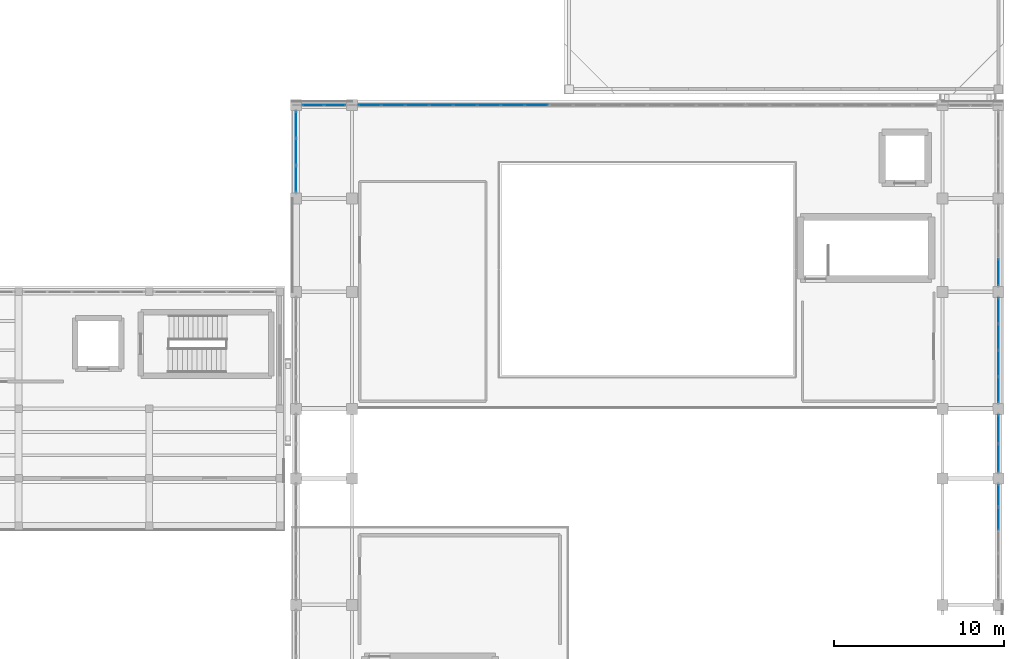
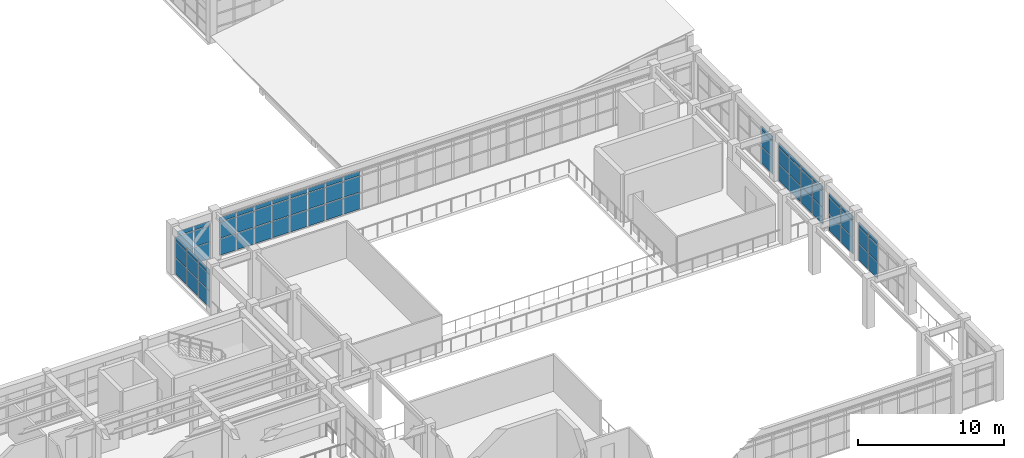
# One storey, part 44 of 66: 66 plates, 7 elements without a shape of their own.
"""IFC4 building model written with IfcOpenShell, lengths in metres."""

import ifcopenshell
import ifcopenshell.guid

model = None  # the IFC model being written
_history = None  # IfcOwnerHistory: only IFC2X3 demands one
_inside = {}  # id of a spatial element -> (the spatial element, [elements in it])
_under = {}  # id of a project, library or spatial element -> (it, [spatial elements below it])
_declared = {}  # id of a project -> (the project, [libraries it declares])
_typed = {}  # id of a type object -> (the type object, [elements of that type])
_made_of = {}  # id of a material, layer set ... -> (it, [elements and type objects made of it])


def new_model(schema):
    """Start an empty IFC model of exactly this schema.

    Asked for "IFC4X3", IfcOpenShell would pick the latest addendum, in which some entities
    have other attributes; the version numbers below select the first issue.
    IFC2X3 requires an IfcOwnerHistory on every rooted entity: one is made here for all.
    """
    global model, _history
    if schema == "IFC4X3":
        model = ifcopenshell.file(schema_version=(4, 3, 0, 0))
    else:
        model = ifcopenshell.file(schema=schema)
    _inside.clear()
    _under.clear()
    _declared.clear()
    _typed.clear()
    _made_of.clear()
    _history = None
    if model.schema == "IFC2X3":
        org = make("IfcOrganization", Name="unknown")
        user = make(
            "IfcPersonAndOrganization",
            ThePerson=make("IfcPerson", FamilyName="unknown"),
            TheOrganization=org,
        )
        app = make(
            "IfcApplication",
            ApplicationDeveloper=org,
            Version="unknown",
            ApplicationFullName="unknown",
            ApplicationIdentifier="unknown",
        )
        _history = make(
            "IfcOwnerHistory",
            OwningUser=user,
            OwningApplication=app,
            ChangeAction="ADDED",
            CreationDate=0,
        )
    return model


def make(cls, **values):
    """One entity of the class cls with the attributes given. An attribute that is None is left unset."""
    return model.create_entity(
        cls, **{name: value for name, value in values.items() if value is not None}
    )


def rooted(cls, **values):
    """An entity with a GlobalId (a new one), such as an element, a storey or a relation."""
    return make(cls, GlobalId=ifcopenshell.guid.new(), OwnerHistory=_history, **values)


def si_unit(unit_type, name, prefix=None):
    """IfcSIUnit, for example si_unit("LENGTHUNIT", "METRE", prefix="MILLI")."""
    return make("IfcSIUnit", UnitType=unit_type, Prefix=prefix, Name=name)


def assignment(units):
    """IfcUnitAssignment: the units of a project."""
    return None if units is None else make("IfcUnitAssignment", Units=units)


def point(xyz):
    """IfcCartesianPoint."""
    return None if xyz is None else make("IfcCartesianPoint", Coordinates=xyz)


def direction(xyz):
    """IfcDirection."""
    return None if xyz is None else make("IfcDirection", DirectionRatios=xyz)


def frame(location, z_axis=None, x_axis=None):
    """IfcAxis2Placement3D, a coordinate frame: its origin and axes. An axis left out is left unset."""
    return make(
        "IfcAxis2Placement3D",
        Location=point(location),
        Axis=direction(z_axis),
        RefDirection=direction(x_axis),
    )


def frame_2d(location, x_axis=None):
    """IfcAxis2Placement2D, a coordinate frame in the plane: its origin and x axis."""
    return make(
        "IfcAxis2Placement2D", Location=point(location), RefDirection=direction(x_axis)
    )


def origin():
    """The frame at (0, 0, 0) with its axes left unset."""
    return frame((0.0, 0.0, 0.0))


def origin_2d():
    """The frame at (0, 0) in the plane with its x axis left unset."""
    return frame_2d((0.0, 0.0))


def place(relative_to, where):
    """IfcLocalPlacement: puts the frame where relative to a parent placement (None: the world)."""
    return make(
        "IfcLocalPlacement", PlacementRelTo=relative_to, RelativePlacement=where
    )


def context(
    kind, dimensions, precision=None, world=None, true_north=None, identifier=None
):
    """IfcGeometricRepresentationContext, for example the 3D "Model" context."""
    return make(
        "IfcGeometricRepresentationContext",
        ContextIdentifier=identifier,
        ContextType=kind,
        CoordinateSpaceDimension=dimensions,
        Precision=precision,
        WorldCoordinateSystem=world,
        TrueNorth=true_north,
    )


def subcontext(parent, identifier, kind, view, scale=None):
    """IfcGeometricRepresentationSubContext, for example "Body" below "Model"."""
    return make(
        "IfcGeometricRepresentationSubContext",
        ContextIdentifier=identifier,
        ContextType=kind,
        ParentContext=parent,
        TargetScale=scale,
        TargetView=view,
    )


def project(units=None, contexts=None):
    """IfcProject with its units and contexts."""
    return rooted(
        "IfcProject",
        Name="project",
        RepresentationContexts=contexts,
        UnitsInContext=assignment(units),
    )


def spatial(cls, under=None, at=None, **own):
    """A site, building, storey or space (cls), placed at a placement, below another one or the project."""
    s = rooted(cls, ObjectPlacement=at, **own)
    if under is not None:
        _under.setdefault(under.id(), (under, []))[1].append(s)
    return s


def profile(cls, at=None, kind="AREA", **sizes):
    """A parametric profile (cls). Its sizes go by their IFC names, for example OverallWidth=200.0."""
    return make(cls, ProfileType=kind, Position=at, **sizes)


def rectangle(**sizes):
    """IfcRectangleProfileDef."""
    return profile("IfcRectangleProfileDef", **sizes)


def extrude(swept, where, along, depth):
    """IfcExtrudedAreaSolid: the profile swept, set in the frame where, extruded along a direction by depth."""
    return make(
        "IfcExtrudedAreaSolid",
        SweptArea=swept,
        Position=where,
        ExtrudedDirection=direction(along),
        Depth=depth,
    )


def shape(context_of_items, identifier, shape_type, items):
    """IfcShapeRepresentation: the items that make up one representation, for example the "Body"."""
    return make(
        "IfcShapeRepresentation",
        ContextOfItems=context_of_items,
        RepresentationIdentifier=identifier,
        RepresentationType=shape_type,
        Items=items,
    )


def material(Name=None, Category=None):
    """IfcMaterial."""
    return make("IfcMaterial", Name=Name, Category=Category)


def layer(
    of_material, thickness, ventilated=None, Name=None, Category=None, Priority=None
):
    """IfcMaterialLayer: one layer of a wall or slab, of a material (None: an air gap)."""
    return make(
        "IfcMaterialLayer",
        Material=of_material,
        LayerThickness=thickness,
        IsVentilated=ventilated,
        Name=Name,
        Category=Category,
        Priority=Priority,
    )


def layer_set(layers, Name=None):
    """IfcMaterialLayerSet."""
    return make("IfcMaterialLayerSet", MaterialLayers=layers, LayerSetName=Name)


def made_of(thing, what):
    """Note that an element or type object is made of a material, layer set ...; save() writes the relation."""
    if what is not None:
        _made_of.setdefault(what.id(), (what, []))[1].append(thing)
    return thing


def type_object(cls, material=None, **own):
    """A type object (cls), such as IfcWallType, which elements share."""
    return made_of(rooted(cls, **own), material)


def element(
    cls,
    number,
    at=None,
    inside=None,
    cuts=None,
    type_object=None,
    material=None,
    context=None,
    identifier="Body",
    shape_type=None,
    held_by="IfcProductDefinitionShape",
    body=None,
    shapes=None,
    **own,
):
    """One element of the class cls, such as IfcWall. Its Tag is "e" and its number.

    at: its placement. inside: the storey or other place that contains it. cuts: it is an
    opening in that element (IfcRelVoidsElement). A single representation is given by context,
    identifier, shape_type and body (its items); several are given by shapes. held_by: the class
    of the entity that holds the representations. save() writes the other relations.
    """
    e = rooted(cls, Tag="e%d" % number, ObjectPlacement=at, **own)
    if body is not None:
        shapes = [shape(context, identifier, shape_type, body)]
    if shapes is not None:
        e.Representation = make(held_by, Representations=shapes)
    if inside is not None:
        _inside.setdefault(inside.id(), (inside, []))[1].append(e)
    if cuts is not None:
        rooted(
            "IfcRelVoidsElement", RelatingBuildingElement=cuts, RelatedOpeningElement=e
        )
    if type_object is not None:
        _typed.setdefault(type_object.id(), (type_object, []))[1].append(e)
    return made_of(e, material)


def aggregate(whole, parts):
    """IfcRelAggregates: a whole, such as a stair, and the parts it consists of."""
    return rooted("IfcRelAggregates", RelatingObject=whole, RelatedObjects=parts)


def save(model, path):
    """Write the relations noted so far, then the file.

    IfcRelAggregates (storeys below a building ...), IfcRelContainedInSpatialStructure (elements
    in a storey), IfcRelDefinesByType, IfcRelAssociatesMaterial and IfcRelDeclares: one each for
    every whole, place, type object, material and project.
    """
    for whole, parts in _under.values():
        aggregate(whole, parts)
    for where, things in _inside.values():
        rooted(
            "IfcRelContainedInSpatialStructure",
            RelatedElements=things,
            RelatingStructure=where,
        )
    for kind, things in _typed.values():
        rooted("IfcRelDefinesByType", RelatedObjects=things, RelatingType=kind)
    for what, things in _made_of.values():
        rooted("IfcRelAssociatesMaterial", RelatedObjects=things, RelatingMaterial=what)
    for by, libraries in _declared.values():
        rooted("IfcRelDeclares", RelatingContext=by, RelatedDefinitions=libraries)
    model.write(path)


model = new_model("IFC4")

# Units and contexts
model_context = context("Model", 3, precision=1e-05, world=origin(), true_north=direction((0.0, 1.0)))
body_context = subcontext(model_context, "Body", "Model", "MODEL_VIEW")
ifc_project = project(units=[si_unit("LENGTHUNIT", "METRE"), si_unit("AREAUNIT", "SQUARE_METRE"), si_unit("VOLUMEUNIT", "CUBIC_METRE"), si_unit("PLANEANGLEUNIT", "RADIAN"), si_unit("MASSUNIT", "GRAM", prefix="KILO")], contexts=[model_context])

# Site, building, storey
site_placement = place(None, origin())
site = spatial("IfcSite", under=ifc_project, at=site_placement, CompositionType="ELEMENT")
building_placement = place(site_placement, origin())
building = spatial("IfcBuilding", under=site, at=building_placement, Name="Candilejo Ridge Gondola Terminal", CompositionType="ELEMENT")
storey_placement = place(building_placement, frame((0.0, 0.0, 14.39990234375)))
storey = spatial("IfcBuildingStorey", under=building, at=storey_placement, Name="L03", CompositionType="ELEMENT", Elevation=14.39990234375)

# Curtain wall, plates
ifc_material_1 = material(Name="Anodised aluminium AA 6063-T6", Category="aluminium")
ifc_layer_1 = layer(ifc_material_1, 0.169921875)
ifc_layer_set_1 = layer_set([ifc_layer_1], Name="ARC-CW-HALL-3800-680X329")
curtain_wall_type_1 = type_object("IfcCurtainWallType", Name="ARC-CW-HALL-3800-680X329", PredefinedType="NOTDEFINED", material=ifc_layer_set_1)
curtain_wall_1_placement = place(storey_placement, origin())
curtain_wall_1 = element("IfcCurtainWall", 1, at=curtain_wall_1_placement, inside=storey, type_object=curtain_wall_type_1, Name="Curtain wall V4 L03-156", PredefinedType="NOTDEFINED")
ifc_material_2 = material(Name="Low-E laminated double glazing 6+12A+6+1.52PVB+6 mm", Category="glass")
ifc_layer_2 = layer(ifc_material_2, 0.028076171875)
ifc_layer_set_2 = layer_set([ifc_layer_2], Name="ARC-CW-GLAZ-PANEL")
plate_type = type_object("IfcPlateType", Name="ARC-CW-GLAZ-PANEL", PredefinedType="CURTAIN_PANEL", material=ifc_layer_set_2)
plate_1_placement = place(storey_placement, frame((175.300048828125, 23.3349609375, 0.06005859375), z_axis=(0.0, 0.0, 1.0), x_axis=(0.0, 1.0, 0.0)))
plate_1 = element("IfcPlate", 2, at=plate_1_placement, type_object=plate_type, Name="CW-68X32 panel 4.1", PredefinedType="CURTAIN_PANEL", context=body_context, shape_type="SweptSolid", body=[
    extrude(rectangle(XDim=1.294921875, YDim=0.028076171875, at=origin_2d()), origin(), (0.0, 0.0, 1.0), 1.360107421875),
])
plate_2_placement = place(storey_placement, frame((175.300048828125, 23.3349609375, 1.47998046875), z_axis=(0.0, 0.0, 1.0), x_axis=(0.0, 1.0, 0.0)))
plate_2 = element("IfcPlate", 3, at=plate_2_placement, type_object=plate_type, Name="CW-68X32 panel 4.2", PredefinedType="CURTAIN_PANEL", context=body_context, shape_type="SweptSolid", body=[
    extrude(rectangle(XDim=1.294921875, YDim=0.028076171875, at=origin_2d()), origin(), (0.0, 0.0, 1.0), 1.340087890625),
])
plate_3_placement = place(storey_placement, frame((175.300048828125, 23.3349609375, 2.880126953125), z_axis=(0.0, 0.0, 1.0), x_axis=(0.0, 1.0, 0.0)))
plate_3 = element("IfcPlate", 4, at=plate_3_placement, type_object=plate_type, Name="CW-68X32 panel 4.3", PredefinedType="CURTAIN_PANEL", context=body_context, shape_type="SweptSolid", body=[
    extrude(rectangle(XDim=1.294921875, YDim=0.028076171875, at=origin_2d()), origin(), (0.0, 0.0, 1.0), 0.35009765625),
])
plate_4_placement = place(storey_placement, frame((175.300048828125, 24.6787109375, 0.06005859375), z_axis=(0.0, 0.0, 1.0), x_axis=(0.0, 1.0, 0.0)))
plate_4 = element("IfcPlate", 5, at=plate_4_placement, type_object=plate_type, Name="CW-68X32 panel 5.1", PredefinedType="CURTAIN_PANEL", context=body_context, shape_type="SweptSolid", body=[
    extrude(rectangle(XDim=1.262451171875, YDim=0.028076171875, at=origin_2d()), origin(), (0.0, 0.0, 1.0), 1.360107421875),
])
plate_5_placement = place(storey_placement, frame((175.300048828125, 24.6787109375, 1.47998046875), z_axis=(0.0, 0.0, 1.0), x_axis=(0.0, 1.0, 0.0)))
plate_5 = element("IfcPlate", 6, at=plate_5_placement, type_object=plate_type, Name="CW-68X32 panel 5.2", PredefinedType="CURTAIN_PANEL", context=body_context, shape_type="SweptSolid", body=[
    extrude(rectangle(XDim=1.262451171875, YDim=0.028076171875, at=origin_2d()), origin(), (0.0, 0.0, 1.0), 1.340087890625),
])
plate_6_placement = place(storey_placement, frame((175.300048828125, 24.6787109375, 2.880126953125), z_axis=(0.0, 0.0, 1.0), x_axis=(0.0, 1.0, 0.0)))
plate_6 = element("IfcPlate", 7, at=plate_6_placement, type_object=plate_type, Name="CW-68X32 panel 5.3", PredefinedType="CURTAIN_PANEL", context=body_context, shape_type="SweptSolid", body=[
    extrude(rectangle(XDim=1.262451171875, YDim=0.028076171875, at=origin_2d()), origin(), (0.0, 0.0, 1.0), 0.35009765625),
])
aggregate(curtain_wall_1, [plate_1, plate_2, plate_3, plate_4, plate_5, plate_6])

ifc_material_3 = material(Name="Anodised aluminium AA 6063-T6", Category="aluminium")
ifc_layer_3 = layer(ifc_material_3, 0.169921875)
ifc_layer_set_3 = layer_set([ifc_layer_3], Name="ARC-CW-HALL-3800-345X329")
curtain_wall_type_2 = type_object("IfcCurtainWallType", Name="ARC-CW-HALL-3800-345X329", PredefinedType="NOTDEFINED", material=ifc_layer_set_3)
curtain_wall_2_placement = place(storey_placement, origin())
curtain_wall_2 = element("IfcCurtainWall", 8, at=curtain_wall_2_placement, inside=storey, type_object=curtain_wall_type_2, Name="Curtain wall V4 L03-158", PredefinedType="NOTDEFINED")
plate_7_placement = place(storey_placement, frame((175.300048828125, 26.90380859375, 0.06005859375), z_axis=(0.0, 0.0, 1.0), x_axis=(0.0, 1.0, 0.0)))
plate_7 = element("IfcPlate", 9, at=plate_7_placement, type_object=plate_type, Name="CW-34X32 panel 1.1", PredefinedType="CURTAIN_PANEL", context=body_context, shape_type="SweptSolid", body=[
    extrude(rectangle(XDim=1.62744140625, YDim=0.028076171875, at=origin_2d()), origin(), (0.0, 0.0, 1.0), 1.360107421875),
])
plate_8_placement = place(storey_placement, frame((175.300048828125, 26.90380859375, 1.47998046875), z_axis=(0.0, 0.0, 1.0), x_axis=(0.0, 1.0, 0.0)))
plate_8 = element("IfcPlate", 10, at=plate_8_placement, type_object=plate_type, Name="CW-34X32 panel 1.2", PredefinedType="CURTAIN_PANEL", context=body_context, shape_type="SweptSolid", body=[
    extrude(rectangle(XDim=1.62744140625, YDim=0.028076171875, at=origin_2d()), origin(), (0.0, 0.0, 1.0), 1.340087890625),
])
plate_9_placement = place(storey_placement, frame((175.300048828125, 26.90380859375, 2.880126953125), z_axis=(0.0, 0.0, 1.0), x_axis=(0.0, 1.0, 0.0)))
plate_9 = element("IfcPlate", 11, at=plate_9_placement, type_object=plate_type, Name="CW-34X32 panel 1.3", PredefinedType="CURTAIN_PANEL", context=body_context, shape_type="SweptSolid", body=[
    extrude(rectangle(XDim=1.62744140625, YDim=0.028076171875, at=origin_2d()), origin(), (0.0, 0.0, 1.0), 0.35009765625),
])
plate_10_placement = place(storey_placement, frame((175.300048828125, 28.59619140625, 0.06005859375), z_axis=(0.0, 0.0, 1.0), x_axis=(0.0, 1.0, 0.0)))
plate_10 = element("IfcPlate", 12, at=plate_10_placement, type_object=plate_type, Name="CW-34X32 panel 2.1", PredefinedType="CURTAIN_PANEL", context=body_context, shape_type="SweptSolid", body=[
    extrude(rectangle(XDim=1.62744140625, YDim=0.028076171875, at=origin_2d()), origin(), (0.0, 0.0, 1.0), 1.360107421875),
])
plate_11_placement = place(storey_placement, frame((175.300048828125, 28.59619140625, 1.47998046875), z_axis=(0.0, 0.0, 1.0), x_axis=(0.0, 1.0, 0.0)))
plate_11 = element("IfcPlate", 13, at=plate_11_placement, type_object=plate_type, Name="CW-34X32 panel 2.2", PredefinedType="CURTAIN_PANEL", context=body_context, shape_type="SweptSolid", body=[
    extrude(rectangle(XDim=1.62744140625, YDim=0.028076171875, at=origin_2d()), origin(), (0.0, 0.0, 1.0), 1.340087890625),
])
plate_12_placement = place(storey_placement, frame((175.300048828125, 28.59619140625, 2.880126953125), z_axis=(0.0, 0.0, 1.0), x_axis=(0.0, 1.0, 0.0)))
plate_12 = element("IfcPlate", 14, at=plate_12_placement, type_object=plate_type, Name="CW-34X32 panel 2.3", PredefinedType="CURTAIN_PANEL", context=body_context, shape_type="SweptSolid", body=[
    extrude(rectangle(XDim=1.62744140625, YDim=0.028076171875, at=origin_2d()), origin(), (0.0, 0.0, 1.0), 0.35009765625),
])
aggregate(curtain_wall_2, [plate_7, plate_8, plate_9, plate_10, plate_11, plate_12])

ifc_material_4 = material(Name="Anodised aluminium AA 6063-T6", Category="aluminium")
ifc_layer_4 = layer(ifc_material_4, 0.169921875)
ifc_layer_set_4 = layer_set([ifc_layer_4], Name="ARC-CW-HALL-3800-625X329")
curtain_wall_type_3 = type_object("IfcCurtainWallType", Name="ARC-CW-HALL-3800-625X329", PredefinedType="NOTDEFINED", material=ifc_layer_set_4)
curtain_wall_3_placement = place(storey_placement, origin())
curtain_wall_3 = element("IfcCurtainWall", 15, at=curtain_wall_3_placement, inside=storey, type_object=curtain_wall_type_3, Name="Curtain wall V4 L03-160", PredefinedType="NOTDEFINED")
plate_13_placement = place(storey_placement, frame((175.300048828125, 30.922607421875, 0.06005859375), z_axis=(0.0, 0.0, 1.0), x_axis=(0.0, 1.0, 0.0)))
plate_13 = element("IfcPlate", 16, at=plate_13_placement, type_object=plate_type, Name="CW-62X32 panel 1.1", PredefinedType="CURTAIN_PANEL", context=body_context, shape_type="SweptSolid", body=[
    extrude(rectangle(XDim=1.465087890625, YDim=0.028076171875, at=origin_2d()), origin(), (0.0, 0.0, 1.0), 1.360107421875),
])
plate_14_placement = place(storey_placement, frame((175.300048828125, 30.922607421875, 1.47998046875), z_axis=(0.0, 0.0, 1.0), x_axis=(0.0, 1.0, 0.0)))
plate_14 = element("IfcPlate", 17, at=plate_14_placement, type_object=plate_type, Name="CW-62X32 panel 1.2", PredefinedType="CURTAIN_PANEL", context=body_context, shape_type="SweptSolid", body=[
    extrude(rectangle(XDim=1.465087890625, YDim=0.028076171875, at=origin_2d()), origin(), (0.0, 0.0, 1.0), 1.340087890625),
])
plate_15_placement = place(storey_placement, frame((175.300048828125, 30.922607421875, 2.880126953125), z_axis=(0.0, 0.0, 1.0), x_axis=(0.0, 1.0, 0.0)))
plate_15 = element("IfcPlate", 18, at=plate_15_placement, type_object=plate_type, Name="CW-62X32 panel 1.3", PredefinedType="CURTAIN_PANEL", context=body_context, shape_type="SweptSolid", body=[
    extrude(rectangle(XDim=1.465087890625, YDim=0.028076171875, at=origin_2d()), origin(), (0.0, 0.0, 1.0), 0.35009765625),
])
plate_16_placement = place(storey_placement, frame((175.300048828125, 32.46875, 0.06005859375), z_axis=(0.0, 0.0, 1.0), x_axis=(0.0, 1.0, 0.0)))
plate_16 = element("IfcPlate", 19, at=plate_16_placement, type_object=plate_type, Name="CW-62X32 panel 2.1", PredefinedType="CURTAIN_PANEL", context=body_context, shape_type="SweptSolid", body=[
    extrude(rectangle(XDim=1.49755859375, YDim=0.028076171875, at=origin_2d()), origin(), (0.0, 0.0, 1.0), 1.360107421875),
])
plate_17_placement = place(storey_placement, frame((175.300048828125, 32.46875, 1.47998046875), z_axis=(0.0, 0.0, 1.0), x_axis=(0.0, 1.0, 0.0)))
plate_17 = element("IfcPlate", 20, at=plate_17_placement, type_object=plate_type, Name="CW-62X32 panel 2.2", PredefinedType="CURTAIN_PANEL", context=body_context, shape_type="SweptSolid", body=[
    extrude(rectangle(XDim=1.49755859375, YDim=0.028076171875, at=origin_2d()), origin(), (0.0, 0.0, 1.0), 1.340087890625),
])
plate_18_placement = place(storey_placement, frame((175.300048828125, 32.46875, 2.880126953125), z_axis=(0.0, 0.0, 1.0), x_axis=(0.0, 1.0, 0.0)))
plate_18 = element("IfcPlate", 21, at=plate_18_placement, type_object=plate_type, Name="CW-62X32 panel 2.3", PredefinedType="CURTAIN_PANEL", context=body_context, shape_type="SweptSolid", body=[
    extrude(rectangle(XDim=1.49755859375, YDim=0.028076171875, at=origin_2d()), origin(), (0.0, 0.0, 1.0), 0.35009765625),
])
plate_19_placement = place(storey_placement, frame((175.300048828125, 34.03125, 0.06005859375), z_axis=(0.0, 0.0, 1.0), x_axis=(0.0, 1.0, 0.0)))
plate_19 = element("IfcPlate", 22, at=plate_19_placement, type_object=plate_type, Name="CW-62X32 panel 3.1", PredefinedType="CURTAIN_PANEL", context=body_context, shape_type="SweptSolid", body=[
    extrude(rectangle(XDim=1.49755859375, YDim=0.028076171875, at=origin_2d()), origin(), (0.0, 0.0, 1.0), 1.360107421875),
])
plate_20_placement = place(storey_placement, frame((175.300048828125, 34.03125, 1.47998046875), z_axis=(0.0, 0.0, 1.0), x_axis=(0.0, 1.0, 0.0)))
plate_20 = element("IfcPlate", 23, at=plate_20_placement, type_object=plate_type, Name="CW-62X32 panel 3.2", PredefinedType="CURTAIN_PANEL", context=body_context, shape_type="SweptSolid", body=[
    extrude(rectangle(XDim=1.49755859375, YDim=0.028076171875, at=origin_2d()), origin(), (0.0, 0.0, 1.0), 1.340087890625),
])
plate_21_placement = place(storey_placement, frame((175.300048828125, 34.03125, 2.880126953125), z_axis=(0.0, 0.0, 1.0), x_axis=(0.0, 1.0, 0.0)))
plate_21 = element("IfcPlate", 24, at=plate_21_placement, type_object=plate_type, Name="CW-62X32 panel 3.3", PredefinedType="CURTAIN_PANEL", context=body_context, shape_type="SweptSolid", body=[
    extrude(rectangle(XDim=1.49755859375, YDim=0.028076171875, at=origin_2d()), origin(), (0.0, 0.0, 1.0), 0.35009765625),
])
plate_22_placement = place(storey_placement, frame((175.300048828125, 35.577392578125, 0.06005859375), z_axis=(0.0, 0.0, 1.0), x_axis=(0.0, 1.0, 0.0)))
plate_22 = element("IfcPlate", 25, at=plate_22_placement, type_object=plate_type, Name="CW-62X32 panel 4.1", PredefinedType="CURTAIN_PANEL", context=body_context, shape_type="SweptSolid", body=[
    extrude(rectangle(XDim=1.465087890625, YDim=0.028076171875, at=origin_2d()), origin(), (0.0, 0.0, 1.0), 1.360107421875),
])
plate_23_placement = place(storey_placement, frame((175.300048828125, 35.577392578125, 1.47998046875), z_axis=(0.0, 0.0, 1.0), x_axis=(0.0, 1.0, 0.0)))
plate_23 = element("IfcPlate", 26, at=plate_23_placement, type_object=plate_type, Name="CW-62X32 panel 4.2", PredefinedType="CURTAIN_PANEL", context=body_context, shape_type="SweptSolid", body=[
    extrude(rectangle(XDim=1.465087890625, YDim=0.028076171875, at=origin_2d()), origin(), (0.0, 0.0, 1.0), 1.340087890625),
])
plate_24_placement = place(storey_placement, frame((175.300048828125, 35.577392578125, 2.880126953125), z_axis=(0.0, 0.0, 1.0), x_axis=(0.0, 1.0, 0.0)))
plate_24 = element("IfcPlate", 27, at=plate_24_placement, type_object=plate_type, Name="CW-62X32 panel 4.3", PredefinedType="CURTAIN_PANEL", context=body_context, shape_type="SweptSolid", body=[
    extrude(rectangle(XDim=1.465087890625, YDim=0.028076171875, at=origin_2d()), origin(), (0.0, 0.0, 1.0), 0.35009765625),
])
aggregate(curtain_wall_3, [plate_13, plate_14, plate_15, plate_16, plate_17, plate_18, plate_19, plate_20, plate_21, plate_22, plate_23, plate_24])

ifc_material_5 = material(Name="Anodised aluminium AA 6063-T6", Category="aluminium")
ifc_layer_5 = layer(ifc_material_5, 0.169921875)
ifc_layer_set_5 = layer_set([ifc_layer_5], Name="ARC-CW-HALL-3800-485X329")
curtain_wall_type_4 = type_object("IfcCurtainWallType", Name="ARC-CW-HALL-3800-485X329", PredefinedType="NOTDEFINED", material=ifc_layer_set_5)
curtain_wall_4_placement = place(storey_placement, origin())
curtain_wall_4 = element("IfcCurtainWall", 28, at=curtain_wall_4_placement, inside=storey, type_object=curtain_wall_type_4, Name="Curtain wall V4 L03-161", PredefinedType="NOTDEFINED")
plate_25_placement = place(storey_placement, frame((175.300048828125, 37.849609375, 0.06005859375), z_axis=(0.0, 0.0, 1.0), x_axis=(0.0, 1.0, 0.0)))
plate_25 = element("IfcPlate", 29, at=plate_25_placement, type_object=plate_type, Name="CW-48X32 panel 1.1", PredefinedType="CURTAIN_PANEL", context=body_context, shape_type="SweptSolid", body=[
    extrude(rectangle(XDim=1.519287109375, YDim=0.028076171875, at=origin_2d()), origin(), (0.0, 0.0, 1.0), 1.360107421875),
])
plate_26_placement = place(storey_placement, frame((175.300048828125, 37.849609375, 1.47998046875), z_axis=(0.0, 0.0, 1.0), x_axis=(0.0, 1.0, 0.0)))
plate_26 = element("IfcPlate", 30, at=plate_26_placement, type_object=plate_type, Name="CW-48X32 panel 1.2", PredefinedType="CURTAIN_PANEL", context=body_context, shape_type="SweptSolid", body=[
    extrude(rectangle(XDim=1.519287109375, YDim=0.028076171875, at=origin_2d()), origin(), (0.0, 0.0, 1.0), 1.340087890625),
])
plate_27_placement = place(storey_placement, frame((175.300048828125, 37.849609375, 2.880126953125), z_axis=(0.0, 0.0, 1.0), x_axis=(0.0, 1.0, 0.0)))
plate_27 = element("IfcPlate", 31, at=plate_27_placement, type_object=plate_type, Name="CW-48X32 panel 1.3", PredefinedType="CURTAIN_PANEL", context=body_context, shape_type="SweptSolid", body=[
    extrude(rectangle(XDim=1.519287109375, YDim=0.028076171875, at=origin_2d()), origin(), (0.0, 0.0, 1.0), 0.35009765625),
])
aggregate(curtain_wall_4, [plate_25, plate_26, plate_27])

curtain_wall_5_placement = place(storey_placement, origin())
curtain_wall_5 = element("IfcCurtainWall", 32, at=curtain_wall_5_placement, inside=storey, type_object=curtain_wall_type_4, Name="Curtain wall V4 L03-162", PredefinedType="NOTDEFINED")
plate_28_placement = place(storey_placement, frame((133.89990234375, 43.349609375, 0.06005859375), z_axis=(0.0, 0.0, 1.0), x_axis=(0.0, 1.0, 0.0)))
plate_28 = element("IfcPlate", 33, at=plate_28_placement, type_object=plate_type, Name="CW-48X32 panel 1.1", PredefinedType="CURTAIN_PANEL", context=body_context, shape_type="SweptSolid", body=[
    extrude(rectangle(XDim=1.519287109375, YDim=0.028076171875, at=origin_2d()), origin(), (0.0, 0.0, 1.0), 1.360107421875),
])
plate_29_placement = place(storey_placement, frame((133.89990234375, 43.349609375, 1.47998046875), z_axis=(0.0, 0.0, 1.0), x_axis=(0.0, 1.0, 0.0)))
plate_29 = element("IfcPlate", 34, at=plate_29_placement, type_object=plate_type, Name="CW-48X32 panel 1.2", PredefinedType="CURTAIN_PANEL", context=body_context, shape_type="SweptSolid", body=[
    extrude(rectangle(XDim=1.519287109375, YDim=0.028076171875, at=origin_2d()), origin(), (0.0, 0.0, 1.0), 1.340087890625),
])
plate_30_placement = place(storey_placement, frame((133.89990234375, 43.349609375, 2.880126953125), z_axis=(0.0, 0.0, 1.0), x_axis=(0.0, 1.0, 0.0)))
plate_30 = element("IfcPlate", 35, at=plate_30_placement, type_object=plate_type, Name="CW-48X32 panel 1.3", PredefinedType="CURTAIN_PANEL", context=body_context, shape_type="SweptSolid", body=[
    extrude(rectangle(XDim=1.519287109375, YDim=0.028076171875, at=origin_2d()), origin(), (0.0, 0.0, 1.0), 0.35009765625),
])
plate_31_placement = place(storey_placement, frame((133.89990234375, 44.949951171875, 0.06005859375), z_axis=(0.0, 0.0, 1.0), x_axis=(0.0, 1.0, 0.0)))
plate_31 = element("IfcPlate", 36, at=plate_31_placement, type_object=plate_type, Name="CW-48X32 panel 2.1", PredefinedType="CURTAIN_PANEL", context=body_context, shape_type="SweptSolid", body=[
    extrude(rectangle(XDim=1.5517578125, YDim=0.028076171875, at=origin_2d()), origin(), (0.0, 0.0, 1.0), 1.360107421875),
])
plate_32_placement = place(storey_placement, frame((133.89990234375, 44.949951171875, 1.47998046875), z_axis=(0.0, 0.0, 1.0), x_axis=(0.0, 1.0, 0.0)))
plate_32 = element("IfcPlate", 37, at=plate_32_placement, type_object=plate_type, Name="CW-48X32 panel 2.2", PredefinedType="CURTAIN_PANEL", context=body_context, shape_type="SweptSolid", body=[
    extrude(rectangle(XDim=1.5517578125, YDim=0.028076171875, at=origin_2d()), origin(), (0.0, 0.0, 1.0), 1.340087890625),
])
plate_33_placement = place(storey_placement, frame((133.89990234375, 44.949951171875, 2.880126953125), z_axis=(0.0, 0.0, 1.0), x_axis=(0.0, 1.0, 0.0)))
plate_33 = element("IfcPlate", 38, at=plate_33_placement, type_object=plate_type, Name="CW-48X32 panel 2.3", PredefinedType="CURTAIN_PANEL", context=body_context, shape_type="SweptSolid", body=[
    extrude(rectangle(XDim=1.5517578125, YDim=0.028076171875, at=origin_2d()), origin(), (0.0, 0.0, 1.0), 0.35009765625),
])
plate_34_placement = place(storey_placement, frame((133.89990234375, 46.550537109375, 0.06005859375), z_axis=(0.0, 0.0, 1.0), x_axis=(0.0, 1.0, 0.0)))
plate_34 = element("IfcPlate", 39, at=plate_34_placement, type_object=plate_type, Name="CW-48X32 panel 3.1", PredefinedType="CURTAIN_PANEL", context=body_context, shape_type="SweptSolid", body=[
    extrude(rectangle(XDim=1.519287109375, YDim=0.028076171875, at=origin_2d()), origin(), (0.0, 0.0, 1.0), 1.360107421875),
])
plate_35_placement = place(storey_placement, frame((133.89990234375, 46.550537109375, 1.47998046875), z_axis=(0.0, 0.0, 1.0), x_axis=(0.0, 1.0, 0.0)))
plate_35 = element("IfcPlate", 40, at=plate_35_placement, type_object=plate_type, Name="CW-48X32 panel 3.2", PredefinedType="CURTAIN_PANEL", context=body_context, shape_type="SweptSolid", body=[
    extrude(rectangle(XDim=1.519287109375, YDim=0.028076171875, at=origin_2d()), origin(), (0.0, 0.0, 1.0), 1.340087890625),
])
plate_36_placement = place(storey_placement, frame((133.89990234375, 46.550537109375, 2.880126953125), z_axis=(0.0, 0.0, 1.0), x_axis=(0.0, 1.0, 0.0)))
plate_36 = element("IfcPlate", 41, at=plate_36_placement, type_object=plate_type, Name="CW-48X32 panel 3.3", PredefinedType="CURTAIN_PANEL", context=body_context, shape_type="SweptSolid", body=[
    extrude(rectangle(XDim=1.519287109375, YDim=0.028076171875, at=origin_2d()), origin(), (0.0, 0.0, 1.0), 0.35009765625),
])
aggregate(curtain_wall_5, [plate_28, plate_29, plate_30, plate_31, plate_32, plate_33, plate_34, plate_35, plate_36])

ifc_material_6 = material(Name="Anodised aluminium AA 6063-T6", Category="aluminium")
ifc_layer_6 = layer(ifc_material_6, 0.169921875)
ifc_layer_set_6 = layer_set([ifc_layer_6], Name="ARC-CW-HALL-3800-265X329")
curtain_wall_type_5 = type_object("IfcCurtainWallType", Name="ARC-CW-HALL-3800-265X329", PredefinedType="NOTDEFINED", material=ifc_layer_set_6)
curtain_wall_6_placement = place(storey_placement, origin())
curtain_wall_6 = element("IfcCurtainWall", 42, at=curtain_wall_6_placement, inside=storey, type_object=curtain_wall_type_5, Name="Curtain wall V4 L03-169", PredefinedType="NOTDEFINED")
plate_37_placement = place(storey_placement, frame((134.90380859375, 47.699951171875, 0.06005859375), z_axis=(0.0, 0.0, 1.0), x_axis=(1.0, 0.0, 0.0)))
plate_37 = element("IfcPlate", 43, at=plate_37_placement, type_object=plate_type, Name="CW-26X32 panel 1.1", PredefinedType="CURTAIN_PANEL", context=body_context, shape_type="SweptSolid", body=[
    extrude(rectangle(XDim=1.2275390625, YDim=0.028076171875, at=origin_2d()), origin(), (0.0, 0.0, 1.0), 1.360107421875),
])
plate_38_placement = place(storey_placement, frame((134.90380859375, 47.699951171875, 1.47998046875), z_axis=(0.0, 0.0, 1.0), x_axis=(1.0, 0.0, 0.0)))
plate_38 = element("IfcPlate", 44, at=plate_38_placement, type_object=plate_type, Name="CW-26X32 panel 1.2", PredefinedType="CURTAIN_PANEL", context=body_context, shape_type="SweptSolid", body=[
    extrude(rectangle(XDim=1.2275390625, YDim=0.028076171875, at=origin_2d()), origin(), (0.0, 0.0, 1.0), 1.340087890625),
])
plate_39_placement = place(storey_placement, frame((134.90380859375, 47.699951171875, 2.880126953125), z_axis=(0.0, 0.0, 1.0), x_axis=(1.0, 0.0, 0.0)))
plate_39 = element("IfcPlate", 45, at=plate_39_placement, type_object=plate_type, Name="CW-26X32 panel 1.3", PredefinedType="CURTAIN_PANEL", context=body_context, shape_type="SweptSolid", body=[
    extrude(rectangle(XDim=1.2275390625, YDim=0.028076171875, at=origin_2d()), origin(), (0.0, 0.0, 1.0), 0.35009765625),
])
plate_40_placement = place(storey_placement, frame((136.1962890625, 47.699951171875, 0.06005859375), z_axis=(0.0, 0.0, 1.0), x_axis=(1.0, 0.0, 0.0)))
plate_40 = element("IfcPlate", 46, at=plate_40_placement, type_object=plate_type, Name="CW-26X32 panel 2.1", PredefinedType="CURTAIN_PANEL", context=body_context, shape_type="SweptSolid", body=[
    extrude(rectangle(XDim=1.2275390625, YDim=0.028076171875, at=origin_2d()), origin(), (0.0, 0.0, 1.0), 1.360107421875),
])
plate_41_placement = place(storey_placement, frame((136.1962890625, 47.699951171875, 1.47998046875), z_axis=(0.0, 0.0, 1.0), x_axis=(1.0, 0.0, 0.0)))
plate_41 = element("IfcPlate", 47, at=plate_41_placement, type_object=plate_type, Name="CW-26X32 panel 2.2", PredefinedType="CURTAIN_PANEL", context=body_context, shape_type="SweptSolid", body=[
    extrude(rectangle(XDim=1.2275390625, YDim=0.028076171875, at=origin_2d()), origin(), (0.0, 0.0, 1.0), 1.340087890625),
])
plate_42_placement = place(storey_placement, frame((136.1962890625, 47.699951171875, 2.880126953125), z_axis=(0.0, 0.0, 1.0), x_axis=(1.0, 0.0, 0.0)))
plate_42 = element("IfcPlate", 48, at=plate_42_placement, type_object=plate_type, Name="CW-26X32 panel 2.3", PredefinedType="CURTAIN_PANEL", context=body_context, shape_type="SweptSolid", body=[
    extrude(rectangle(XDim=1.2275390625, YDim=0.028076171875, at=origin_2d()), origin(), (0.0, 0.0, 1.0), 0.35009765625),
])
aggregate(curtain_wall_6, [plate_37, plate_38, plate_39, plate_40, plate_41, plate_42])

ifc_material_7 = material(Name="Anodised aluminium AA 6063-T6", Category="aluminium")
ifc_layer_7 = layer(ifc_material_7, 0.169921875)
ifc_layer_set_7 = layer_set([ifc_layer_7], Name="ARC-CW-HALL-3800-1128X329")
curtain_wall_type_6 = type_object("IfcCurtainWallType", Name="ARC-CW-HALL-3800-1128X329", PredefinedType="NOTDEFINED", material=ifc_layer_set_7)
curtain_wall_7_placement = place(storey_placement, origin())
curtain_wall_7 = element("IfcCurtainWall", 49, at=curtain_wall_7_placement, inside=storey, type_object=curtain_wall_type_6, Name="Curtain wall V4 L03-171", PredefinedType="NOTDEFINED")
plate_43_placement = place(storey_placement, frame((138.245849609375, 47.699951171875, 0.06005859375), z_axis=(0.0, 0.0, 1.0), x_axis=(1.0, 0.0, 0.0)))
plate_43 = element("IfcPlate", 50, at=plate_43_placement, type_object=plate_type, Name="CW-112X32 panel 1.1", PredefinedType="CURTAIN_PANEL", context=body_context, shape_type="SweptSolid", body=[
    extrude(rectangle(XDim=1.311767578125, YDim=0.028076171875, at=origin_2d()), origin(), (0.0, 0.0, 1.0), 1.360107421875),
])
plate_44_placement = place(storey_placement, frame((138.245849609375, 47.699951171875, 1.47998046875), z_axis=(0.0, 0.0, 1.0), x_axis=(1.0, 0.0, 0.0)))
plate_44 = element("IfcPlate", 51, at=plate_44_placement, type_object=plate_type, Name="CW-112X32 panel 1.2", PredefinedType="CURTAIN_PANEL", context=body_context, shape_type="SweptSolid", body=[
    extrude(rectangle(XDim=1.311767578125, YDim=0.028076171875, at=origin_2d()), origin(), (0.0, 0.0, 1.0), 1.340087890625),
])
plate_45_placement = place(storey_placement, frame((138.245849609375, 47.699951171875, 2.880126953125), z_axis=(0.0, 0.0, 1.0), x_axis=(1.0, 0.0, 0.0)))
plate_45 = element("IfcPlate", 52, at=plate_45_placement, type_object=plate_type, Name="CW-112X32 panel 1.3", PredefinedType="CURTAIN_PANEL", context=body_context, shape_type="SweptSolid", body=[
    extrude(rectangle(XDim=1.311767578125, YDim=0.028076171875, at=origin_2d()), origin(), (0.0, 0.0, 1.0), 0.35009765625),
])
plate_46_placement = place(storey_placement, frame((139.63916015625, 47.699951171875, 0.06005859375), z_axis=(0.0, 0.0, 1.0), x_axis=(1.0, 0.0, 0.0)))
plate_46 = element("IfcPlate", 53, at=plate_46_placement, type_object=plate_type, Name="CW-112X32 panel 2.1", PredefinedType="CURTAIN_PANEL", context=body_context, shape_type="SweptSolid", body=[
    extrude(rectangle(XDim=1.344482421875, YDim=0.028076171875, at=origin_2d()), origin(), (0.0, 0.0, 1.0), 1.360107421875),
])
plate_47_placement = place(storey_placement, frame((139.63916015625, 47.699951171875, 1.47998046875), z_axis=(0.0, 0.0, 1.0), x_axis=(1.0, 0.0, 0.0)))
plate_47 = element("IfcPlate", 54, at=plate_47_placement, type_object=plate_type, Name="CW-112X32 panel 2.2", PredefinedType="CURTAIN_PANEL", context=body_context, shape_type="SweptSolid", body=[
    extrude(rectangle(XDim=1.344482421875, YDim=0.028076171875, at=origin_2d()), origin(), (0.0, 0.0, 1.0), 1.340087890625),
])
plate_48_placement = place(storey_placement, frame((139.63916015625, 47.699951171875, 2.880126953125), z_axis=(0.0, 0.0, 1.0), x_axis=(1.0, 0.0, 0.0)))
plate_48 = element("IfcPlate", 55, at=plate_48_placement, type_object=plate_type, Name="CW-112X32 panel 2.3", PredefinedType="CURTAIN_PANEL", context=body_context, shape_type="SweptSolid", body=[
    extrude(rectangle(XDim=1.344482421875, YDim=0.028076171875, at=origin_2d()), origin(), (0.0, 0.0, 1.0), 0.35009765625),
])
plate_49_placement = place(storey_placement, frame((141.04833984375, 47.699951171875, 0.06005859375), z_axis=(0.0, 0.0, 1.0), x_axis=(1.0, 0.0, 0.0)))
plate_49 = element("IfcPlate", 56, at=plate_49_placement, type_object=plate_type, Name="CW-112X32 panel 3.1", PredefinedType="CURTAIN_PANEL", context=body_context, shape_type="SweptSolid", body=[
    extrude(rectangle(XDim=1.344482421875, YDim=0.028076171875, at=origin_2d()), origin(), (0.0, 0.0, 1.0), 1.360107421875),
])
plate_50_placement = place(storey_placement, frame((141.04833984375, 47.699951171875, 1.47998046875), z_axis=(0.0, 0.0, 1.0), x_axis=(1.0, 0.0, 0.0)))
plate_50 = element("IfcPlate", 57, at=plate_50_placement, type_object=plate_type, Name="CW-112X32 panel 3.2", PredefinedType="CURTAIN_PANEL", context=body_context, shape_type="SweptSolid", body=[
    extrude(rectangle(XDim=1.344482421875, YDim=0.028076171875, at=origin_2d()), origin(), (0.0, 0.0, 1.0), 1.340087890625),
])
plate_51_placement = place(storey_placement, frame((141.04833984375, 47.699951171875, 2.880126953125), z_axis=(0.0, 0.0, 1.0), x_axis=(1.0, 0.0, 0.0)))
plate_51 = element("IfcPlate", 58, at=plate_51_placement, type_object=plate_type, Name="CW-112X32 panel 3.3", PredefinedType="CURTAIN_PANEL", context=body_context, shape_type="SweptSolid", body=[
    extrude(rectangle(XDim=1.344482421875, YDim=0.028076171875, at=origin_2d()), origin(), (0.0, 0.0, 1.0), 0.35009765625),
])
plate_52_placement = place(storey_placement, frame((142.457763671875, 47.699951171875, 0.06005859375), z_axis=(0.0, 0.0, 1.0), x_axis=(1.0, 0.0, 0.0)))
plate_52 = element("IfcPlate", 59, at=plate_52_placement, type_object=plate_type, Name="CW-112X32 panel 4.1", PredefinedType="CURTAIN_PANEL", context=body_context, shape_type="SweptSolid", body=[
    extrude(rectangle(XDim=1.344482421875, YDim=0.028076171875, at=origin_2d()), origin(), (0.0, 0.0, 1.0), 1.360107421875),
])
plate_53_placement = place(storey_placement, frame((142.457763671875, 47.699951171875, 1.47998046875), z_axis=(0.0, 0.0, 1.0), x_axis=(1.0, 0.0, 0.0)))
plate_53 = element("IfcPlate", 60, at=plate_53_placement, type_object=plate_type, Name="CW-112X32 panel 4.2", PredefinedType="CURTAIN_PANEL", context=body_context, shape_type="SweptSolid", body=[
    extrude(rectangle(XDim=1.344482421875, YDim=0.028076171875, at=origin_2d()), origin(), (0.0, 0.0, 1.0), 1.340087890625),
])
plate_54_placement = place(storey_placement, frame((142.457763671875, 47.699951171875, 2.880126953125), z_axis=(0.0, 0.0, 1.0), x_axis=(1.0, 0.0, 0.0)))
plate_54 = element("IfcPlate", 61, at=plate_54_placement, type_object=plate_type, Name="CW-112X32 panel 4.3", PredefinedType="CURTAIN_PANEL", context=body_context, shape_type="SweptSolid", body=[
    extrude(rectangle(XDim=1.344482421875, YDim=0.028076171875, at=origin_2d()), origin(), (0.0, 0.0, 1.0), 0.35009765625),
])
plate_55_placement = place(storey_placement, frame((143.8671875, 47.699951171875, 0.06005859375), z_axis=(0.0, 0.0, 1.0), x_axis=(1.0, 0.0, 0.0)))
plate_55 = element("IfcPlate", 62, at=plate_55_placement, type_object=plate_type, Name="CW-112X32 panel 5.1", PredefinedType="CURTAIN_PANEL", context=body_context, shape_type="SweptSolid", body=[
    extrude(rectangle(XDim=1.344482421875, YDim=0.028076171875, at=origin_2d()), origin(), (0.0, 0.0, 1.0), 1.360107421875),
])
plate_56_placement = place(storey_placement, frame((143.8671875, 47.699951171875, 1.47998046875), z_axis=(0.0, 0.0, 1.0), x_axis=(1.0, 0.0, 0.0)))
plate_56 = element("IfcPlate", 63, at=plate_56_placement, type_object=plate_type, Name="CW-112X32 panel 5.2", PredefinedType="CURTAIN_PANEL", context=body_context, shape_type="SweptSolid", body=[
    extrude(rectangle(XDim=1.344482421875, YDim=0.028076171875, at=origin_2d()), origin(), (0.0, 0.0, 1.0), 1.340087890625),
])
plate_57_placement = place(storey_placement, frame((143.8671875, 47.699951171875, 2.880126953125), z_axis=(0.0, 0.0, 1.0), x_axis=(1.0, 0.0, 0.0)))
plate_57 = element("IfcPlate", 64, at=plate_57_placement, type_object=plate_type, Name="CW-112X32 panel 5.3", PredefinedType="CURTAIN_PANEL", context=body_context, shape_type="SweptSolid", body=[
    extrude(rectangle(XDim=1.344482421875, YDim=0.028076171875, at=origin_2d()), origin(), (0.0, 0.0, 1.0), 0.35009765625),
])
plate_58_placement = place(storey_placement, frame((145.276611328125, 47.699951171875, 0.06005859375), z_axis=(0.0, 0.0, 1.0), x_axis=(1.0, 0.0, 0.0)))
plate_58 = element("IfcPlate", 65, at=plate_58_placement, type_object=plate_type, Name="CW-112X32 panel 6.1", PredefinedType="CURTAIN_PANEL", context=body_context, shape_type="SweptSolid", body=[
    extrude(rectangle(XDim=1.344482421875, YDim=0.028076171875, at=origin_2d()), origin(), (0.0, 0.0, 1.0), 1.360107421875),
])
plate_59_placement = place(storey_placement, frame((145.276611328125, 47.699951171875, 1.47998046875), z_axis=(0.0, 0.0, 1.0), x_axis=(1.0, 0.0, 0.0)))
plate_59 = element("IfcPlate", 66, at=plate_59_placement, type_object=plate_type, Name="CW-112X32 panel 6.2", PredefinedType="CURTAIN_PANEL", context=body_context, shape_type="SweptSolid", body=[
    extrude(rectangle(XDim=1.344482421875, YDim=0.028076171875, at=origin_2d()), origin(), (0.0, 0.0, 1.0), 1.340087890625),
])
plate_60_placement = place(storey_placement, frame((145.276611328125, 47.699951171875, 2.880126953125), z_axis=(0.0, 0.0, 1.0), x_axis=(1.0, 0.0, 0.0)))
plate_60 = element("IfcPlate", 67, at=plate_60_placement, type_object=plate_type, Name="CW-112X32 panel 6.3", PredefinedType="CURTAIN_PANEL", context=body_context, shape_type="SweptSolid", body=[
    extrude(rectangle(XDim=1.344482421875, YDim=0.028076171875, at=origin_2d()), origin(), (0.0, 0.0, 1.0), 0.35009765625),
])
plate_61_placement = place(storey_placement, frame((146.68603515625, 47.699951171875, 0.06005859375), z_axis=(0.0, 0.0, 1.0), x_axis=(1.0, 0.0, 0.0)))
plate_61 = element("IfcPlate", 68, at=plate_61_placement, type_object=plate_type, Name="CW-112X32 panel 7.1", PredefinedType="CURTAIN_PANEL", context=body_context, shape_type="SweptSolid", body=[
    extrude(rectangle(XDim=1.344482421875, YDim=0.028076171875, at=origin_2d()), origin(), (0.0, 0.0, 1.0), 1.360107421875),
])
plate_62_placement = place(storey_placement, frame((146.68603515625, 47.699951171875, 1.47998046875), z_axis=(0.0, 0.0, 1.0), x_axis=(1.0, 0.0, 0.0)))
plate_62 = element("IfcPlate", 69, at=plate_62_placement, type_object=plate_type, Name="CW-112X32 panel 7.2", PredefinedType="CURTAIN_PANEL", context=body_context, shape_type="SweptSolid", body=[
    extrude(rectangle(XDim=1.344482421875, YDim=0.028076171875, at=origin_2d()), origin(), (0.0, 0.0, 1.0), 1.340087890625),
])
plate_63_placement = place(storey_placement, frame((146.68603515625, 47.699951171875, 2.880126953125), z_axis=(0.0, 0.0, 1.0), x_axis=(1.0, 0.0, 0.0)))
plate_63 = element("IfcPlate", 70, at=plate_63_placement, type_object=plate_type, Name="CW-112X32 panel 7.3", PredefinedType="CURTAIN_PANEL", context=body_context, shape_type="SweptSolid", body=[
    extrude(rectangle(XDim=1.344482421875, YDim=0.028076171875, at=origin_2d()), origin(), (0.0, 0.0, 1.0), 0.35009765625),
])
plate_64_placement = place(storey_placement, frame((148.0791015625, 47.699951171875, 0.06005859375), z_axis=(0.0, 0.0, 1.0), x_axis=(1.0, 0.0, 0.0)))
plate_64 = element("IfcPlate", 71, at=plate_64_placement, type_object=plate_type, Name="CW-112X32 panel 8.1", PredefinedType="CURTAIN_PANEL", context=body_context, shape_type="SweptSolid", body=[
    extrude(rectangle(XDim=1.311767578125, YDim=0.028076171875, at=origin_2d()), origin(), (0.0, 0.0, 1.0), 1.360107421875),
])
plate_65_placement = place(storey_placement, frame((148.0791015625, 47.699951171875, 1.47998046875), z_axis=(0.0, 0.0, 1.0), x_axis=(1.0, 0.0, 0.0)))
plate_65 = element("IfcPlate", 72, at=plate_65_placement, type_object=plate_type, Name="CW-112X32 panel 8.2", PredefinedType="CURTAIN_PANEL", context=body_context, shape_type="SweptSolid", body=[
    extrude(rectangle(XDim=1.311767578125, YDim=0.028076171875, at=origin_2d()), origin(), (0.0, 0.0, 1.0), 1.340087890625),
])
plate_66_placement = place(storey_placement, frame((148.0791015625, 47.699951171875, 2.880126953125), z_axis=(0.0, 0.0, 1.0), x_axis=(1.0, 0.0, 0.0)))
plate_66 = element("IfcPlate", 73, at=plate_66_placement, type_object=plate_type, Name="CW-112X32 panel 8.3", PredefinedType="CURTAIN_PANEL", context=body_context, shape_type="SweptSolid", body=[
    extrude(rectangle(XDim=1.311767578125, YDim=0.028076171875, at=origin_2d()), origin(), (0.0, 0.0, 1.0), 0.35009765625),
])
aggregate(curtain_wall_7, [plate_43, plate_44, plate_45, plate_46, plate_47, plate_48, plate_49, plate_50, plate_51, plate_52, plate_53, plate_54, plate_55, plate_56, plate_57, plate_58, plate_59, plate_60, plate_61, plate_62, plate_63, plate_64, plate_65, plate_66])

save(model, "model.ifc")
